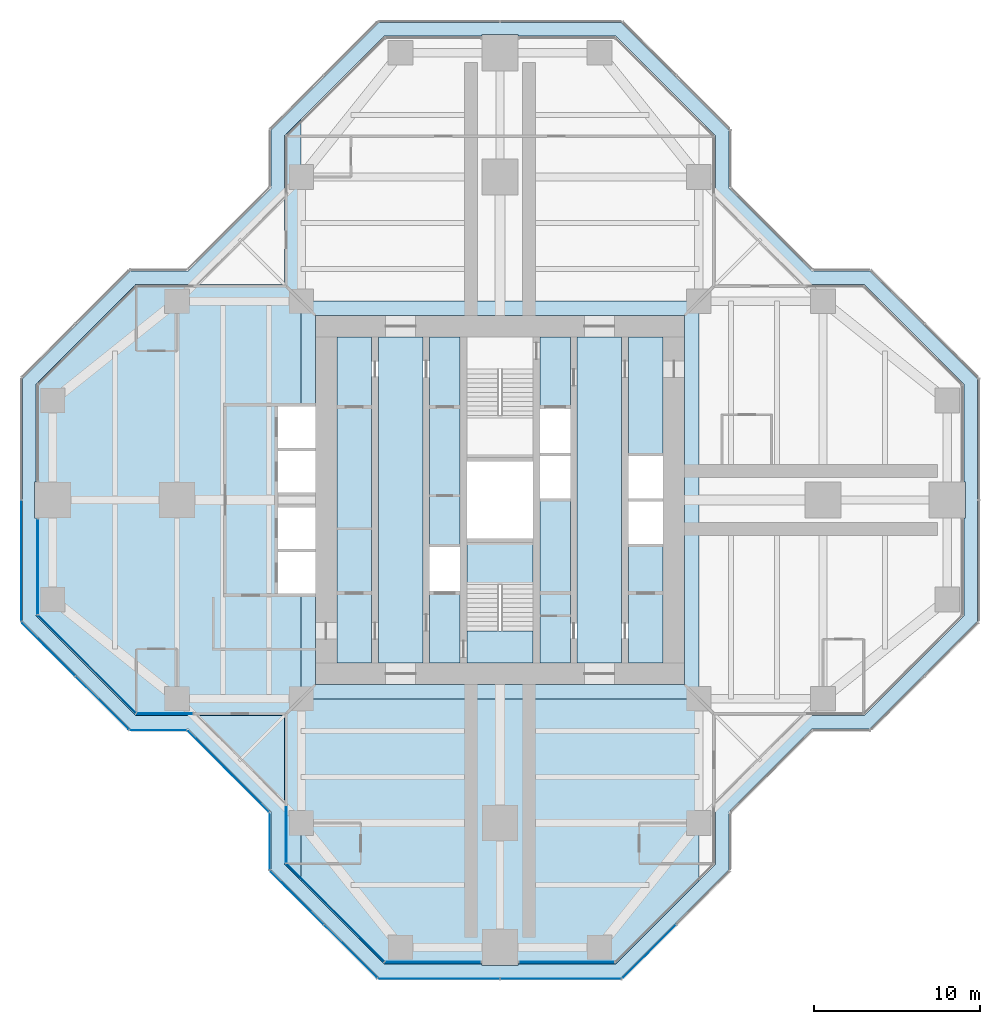
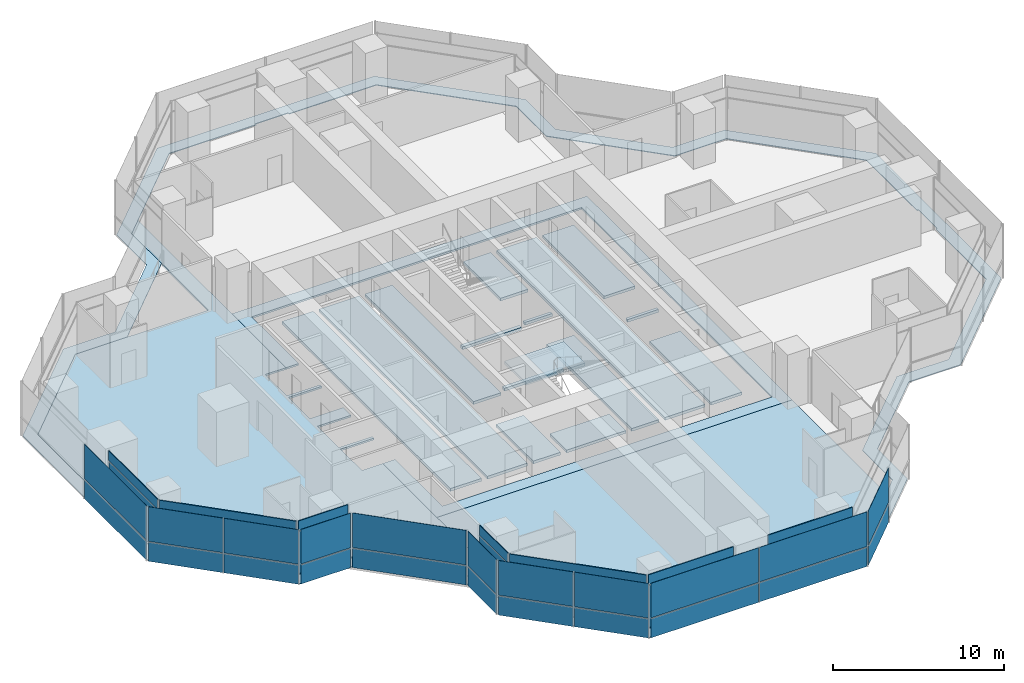
# One storey, part 10 of 17: 37 plates, 7 slabs, 16 elements without a shape of their own.
"""IFC4 building model written with IfcOpenShell, lengths in metres."""

from ifc_helpers import new_model, si_unit, direction, frame, origin, origin_2d, place, context, subcontext, project, spatial, polyline, rectangle, outline, extrude, material, layer, layer_set, type_object, element, aggregate, save


model = new_model("IFC4")

# Units and contexts
model_context = context("Model", 3, precision=1e-05, world=origin(), true_north=direction((0.0, 1.0)))
body_context = subcontext(model_context, "Body", "Model", "MODEL_VIEW")
ifc_project = project(units=[si_unit("LENGTHUNIT", "METRE"), si_unit("AREAUNIT", "SQUARE_METRE"), si_unit("VOLUMEUNIT", "CUBIC_METRE"), si_unit("PLANEANGLEUNIT", "RADIAN"), si_unit("MASSUNIT", "GRAM", prefix="KILO")], contexts=[model_context])

# Site, building, storey
site_placement = place(None, origin())
site = spatial("IfcSite", under=ifc_project, at=site_placement, CompositionType="ELEMENT")
building_placement = place(site_placement, origin())
building = spatial("IfcBuilding", under=site, at=building_placement, Name="Mizan Broadcast Tower", CompositionType="ELEMENT")
storey_placement = place(building_placement, frame((0.0, 0.0, 259.5)))
storey = spatial("IfcBuildingStorey", under=building, at=storey_placement, Name="L61", CompositionType="ELEMENT", Elevation=259.5)

# Plate
ifc_material_1 = material(Name="Aluminium grating", Category="aluminium")
ifc_layer_1 = layer(ifc_material_1, 0.050048828125)
ifc_layer_set_1 = layer_set([ifc_layer_1], Name="Aluminium grating")
plate_type_1 = type_object("IfcPlateType", Name="CAVITY GRATING", PredefinedType="USERDEFINED", material=ifc_layer_set_1)
plate_1_placement = place(storey_placement, frame((0.0, 0.0, -0.050048828125)))
element("IfcPlate", 1, at=plate_1_placement, inside=storey, type_object=plate_type_1, Name="Cavity grating L61", ObjectType="GRATING", PredefinedType="USERDEFINED", context=body_context, shape_type="SweptSolid", body=[
    extrude(outline(polyline([(13.820068359375, -18.839599609375), (18.839599609375, -13.820068359375), (22.339599609375, -13.820068359375), (28.820068359375, -7.339599609375), (28.820068359375, 7.339599609375), (22.339599609375, 13.820068359375), (18.839599609375, 13.820068359375), (13.820068359375, 18.839599609375), (13.820068359375, 22.339599609375), (7.339599609375, 28.820068359375), (-7.339599609375, 28.820068359375), (-13.820068359375, 22.339599609375), (-13.820068359375, 18.839599609375), (-18.839599609375, 13.820068359375), (-22.339599609375, 13.820068359375), (-28.820068359375, 7.339599609375), (-28.820068359375, -7.339599609375), (-22.339599609375, -13.820068359375), (-18.839599609375, -13.820068359375), (-13.820068359375, -18.839599609375), (-13.820068359375, -22.339599609375), (-7.339599609375, -28.820068359375), (7.339599609375, -28.820068359375), (13.820068359375, -22.339599609375), (13.820068359375, -18.839599609375)]), holes=[polyline([(28.0, -1.10009765625), (28.0, -7.0), (22.0, -13.0), (18.5, -13.0), (13.0, -18.5), (13.0, -22.0), (7.0, -28.0), (1.10009765625, -28.0), (1.10009765625, -28.10009765625), (-1.10009765625, -28.10009765625), (-1.10009765625, -28.0), (-7.0, -28.0), (-13.0, -22.0), (-13.0, -18.5), (-18.5, -13.0), (-22.0, -13.0), (-28.0, -7.0), (-28.0, -1.10009765625), (-28.10009765625, -1.10009765625), (-28.10009765625, 1.10009765625), (-28.0, 1.10009765625), (-28.0, 7.0), (-22.0, 13.0), (-18.5, 13.0), (-13.0, 18.5), (-13.0, 22.0), (-7.0, 28.0), (-1.10009765625, 28.0), (-1.10009765625, 28.10009765625), (1.10009765625, 28.10009765625), (1.10009765625, 28.0), (7.0, 28.0), (13.0, 22.0), (13.0, 18.5), (18.5, 13.0), (22.0, 13.0), (28.0, 7.0), (28.0, 1.10009765625), (28.10009765625, 1.10009765625), (28.10009765625, -1.10009765625), (28.0, -1.10009765625)])]), origin(), (0.0, 0.0, 1.0), 0.050048828125),
])

# Slabs
ifc_material_2 = material(Name="Concrete C32/40", Category="concrete")
ifc_layer_2 = layer(ifc_material_2, 0.1298828125)
ifc_layer_set_2 = layer_set([ifc_layer_2], Name="Concrete C32/40")
slab_type_1 = type_object("IfcSlabType", Name="COMPOSITE DECK SLAB 130", PredefinedType="FLOOR", material=ifc_layer_set_2)
slab_1_placement = place(storey_placement, frame((0.0, 0.0, -0.1298828125)))
element("IfcSlab", 2, at=slab_1_placement, inside=storey, type_object=slab_type_1, Name="Floor slab L61 centre", PredefinedType="FLOOR", context=body_context, shape_type="SweptSolid", body=[
    extrude(outline(polyline([(-11.14990234375, -5.64990234375), (-12.0, -5.64990234375), (-12.0, -12.0), (12.0, -12.0), (12.0, 12.0), (-12.0, 12.0), (-12.0, 5.64990234375), (-11.14990234375, 5.64990234375), (-11.14990234375, 11.14990234375), (11.14990234375, 11.14990234375), (11.14990234375, -11.14990234375), (-11.14990234375, -11.14990234375), (-11.14990234375, -5.64990234375)])), origin(), (0.0, 0.0, 1.0), 0.1298828125),
])
slab_2_placement = place(storey_placement, frame((0.0, 0.0, -0.1298828125)))
element("IfcSlab", 3, at=slab_2_placement, inside=storey, type_object=slab_type_1, Name="Floor slab L61 west arm", PredefinedType="FLOOR", context=body_context, shape_type="SweptSolid", body=[
    extrude(outline(polyline([(-22.0, 13.0), (-28.0, 7.0), (-28.0, -7.0), (-22.0, -13.0), (-13.0, -13.0), (-13.0, -22.0), (-12.0, -23.0), (-12.0, -5.64990234375), (-13.39990234375, -5.64990234375), (-13.39990234375, -3.14990234375), (-11.14990234375, -3.14990234375), (-11.14990234375, -2.949951171875), (-13.39990234375, -2.949951171875), (-13.39990234375, -0.449951171875), (-11.14990234375, -0.449951171875), (-11.14990234375, 0.449951171875), (-13.39990234375, 0.449951171875), (-13.39990234375, 2.949951171875), (-11.14990234375, 2.949951171875), (-11.14990234375, 3.14990234375), (-13.39990234375, 3.14990234375), (-13.39990234375, 5.64990234375), (-12.0, 5.64990234375), (-12.0, 23.0), (-13.0, 22.0), (-13.0, 13.0), (-22.0, 13.0)])), origin(), (0.0, 0.0, 1.0), 0.1298828125),
])
slab_3_placement = place(storey_placement, frame((0.0, 0.0, -0.1298828125)))
element("IfcSlab", 4, at=slab_3_placement, inside=storey, type_object=slab_type_1, Name="Floor slab L61 south arm", PredefinedType="FLOOR", context=body_context, shape_type="SweptSolid", body=[
    extrude(outline(polyline([(7.0, -28.0), (12.0, -23.0), (12.0, -12.0), (-12.0, -12.0), (-12.0, -23.0), (-7.0, -28.0), (7.0, -28.0)])), origin(), (0.0, 0.0, 1.0), 0.1298828125),
])
ifc_material_3 = material(Name="Concrete C40/50", Category="concrete")
ifc_layer_3 = layer(ifc_material_3, 0.199951171875)
ifc_layer_set_3 = layer_set([ifc_layer_3], Name="Concrete C40/50")
slab_type_2 = type_object("IfcSlabType", Name="CORE FLOOR 200", PredefinedType="FLOOR", material=ifc_layer_set_3)
slab_4_placement = place(storey_placement, frame((0.0, 0.0, -0.199951171875)))
element("IfcSlab", 5, at=slab_4_placement, inside=storey, type_object=slab_type_2, Name="Core floor L61", PredefinedType="FLOOR", context=body_context, shape_type="SweptSolid", body=[
    extrude(outline(polyline([(-9.85009765625, -9.85009765625), (-7.75, -9.85009765625), (-7.75, 9.85009765625), (-9.85009765625, 9.85009765625), (-9.85009765625, -9.85009765625)])), origin(), (0.0, 0.0, 1.0), 0.199951171875),
    extrude(outline(polyline([(-4.64990234375, 9.85009765625), (-7.35009765625, 9.85009765625), (-7.35009765625, -9.85009765625), (-4.64990234375, -9.85009765625), (-4.64990234375, 9.85009765625)])), origin(), (0.0, 0.0, 1.0), 0.199951171875),
    extrude(outline(polyline([(-4.25, -5.5), (-4.25, -9.85009765625), (-2.39990234375, -9.85009765625), (-2.39990234375, -5.5), (-4.25, -5.5)])), origin(), (0.0, 0.0, 1.0), 0.199951171875),
    extrude(outline(polyline([(-4.25, -2.85009765625), (-2.39990234375, -2.85009765625), (-2.39990234375, 9.85009765625), (-4.25, 9.85009765625), (-4.25, -2.85009765625)])), origin(), (0.0, 0.0, 1.0), 0.199951171875),
    extrude(outline(polyline([(2.0, -2.324951171875), (-2.0, -2.324951171875), (-2.0, -2.574951171875), (2.0, -2.574951171875), (2.0, -2.324951171875)])), origin(), (0.0, 0.0, 1.0), 0.199951171875),
    extrude(outline(polyline([(2.0, 2.574951171875), (-2.0, 2.574951171875), (-2.0, 2.324951171875), (2.0, 2.324951171875), (2.0, 2.574951171875)])), origin(), (0.0, 0.0, 1.0), 0.199951171875),
    extrude(outline(polyline([(4.25, -9.85009765625), (4.25, 0.10009765625), (2.39990234375, 0.10009765625), (2.39990234375, -9.85009765625), (4.25, -9.85009765625)])), origin(), (0.0, 0.0, 1.0), 0.199951171875),
    extrude(outline(polyline([(4.25, 2.64990234375), (4.25, 2.85009765625), (2.39990234375, 2.85009765625), (2.39990234375, 2.64990234375), (4.25, 2.64990234375)])), origin(), (0.0, 0.0, 1.0), 0.199951171875),
    extrude(outline(polyline([(4.25, 5.5), (4.25, 9.85009765625), (2.39990234375, 9.85009765625), (2.39990234375, 5.5), (4.25, 5.5)])), origin(), (0.0, 0.0, 1.0), 0.199951171875),
    extrude(outline(polyline([(4.64990234375, 9.85009765625), (4.64990234375, -9.85009765625), (7.35009765625, -9.85009765625), (7.35009765625, 9.85009765625), (4.64990234375, 9.85009765625)])), origin(), (0.0, 0.0, 1.0), 0.199951171875),
    extrude(outline(polyline([(9.85009765625, -9.85009765625), (9.85009765625, -2.64990234375), (7.75, -2.64990234375), (7.75, -9.85009765625), (9.85009765625, -9.85009765625)])), origin(), (0.0, 0.0, 1.0), 0.199951171875),
    extrude(outline(polyline([(9.85009765625, -0.10009765625), (9.85009765625, 0.10009765625), (7.75, 0.10009765625), (7.75, -0.10009765625), (9.85009765625, -0.10009765625)])), origin(), (0.0, 0.0, 1.0), 0.199951171875),
    extrude(outline(polyline([(7.75, 9.85009765625), (7.75, 2.64990234375), (9.85009765625, 2.64990234375), (9.85009765625, 9.85009765625), (7.75, 9.85009765625)])), origin(), (0.0, 0.0, 1.0), 0.199951171875),
])

# Curtain wall, plate
ifc_material_4 = material(Name="Aluminium framed glazing", Category="aluminium")
curtain_wall_type_1 = type_object("IfcCurtainWallType", Name="INNER SKIN HIGH ZONE", PredefinedType="USERDEFINED", material=ifc_material_4)
curtain_wall_1_placement = place(storey_placement, origin())
curtain_wall_1 = element("IfcCurtainWall", 6, at=curtain_wall_1_placement, inside=storey, type_object=curtain_wall_type_1, Name="Inner skin high zone L61 W end", ObjectType="INNER SKIN HIGH ZONE", PredefinedType="USERDEFINED")
ifc_material_5 = material(Name="Double glazing, clear low-e", Category="glass")
ifc_layer_4 = layer(ifc_material_5, 0.028076171875)
ifc_layer_set_4 = layer_set([ifc_layer_4], Name="Double glazing, clear low-e")
plate_type_2 = type_object("IfcPlateType", Name="INNER SKIN GLAZING UNIT", PredefinedType="CURTAIN_PANEL", material=ifc_layer_set_4)
plate_2_placement = place(storey_placement, frame((-27.89990234375, -4.029296875, 0.0), z_axis=(0.0, 0.0, 1.0), x_axis=(0.0, -1.0, 0.0)))
plate_2 = element("IfcPlate", 7, at=plate_2_placement, type_object=plate_type_2, Name="Inner skin high zone L61 W end panel 1.1", PredefinedType="CURTAIN_PANEL", context=body_context, shape_type="SweptSolid", body=[
    extrude(rectangle(XDim=5.738525390625, YDim=0.028076171875, at=origin_2d()), origin(), (0.0, 0.0, 1.0), 3.0),
])

curtain_wall_2_placement = place(storey_placement, origin())
curtain_wall_2 = element("IfcCurtainWall", 8, at=curtain_wall_2_placement, inside=storey, type_object=curtain_wall_type_1, Name="Inner skin high zone L61 W chamfer", ObjectType="INNER SKIN HIGH ZONE", PredefinedType="USERDEFINED")
plate_3_placement = place(storey_placement, frame((-24.92919921875, -9.92919921875, 0.0), z_axis=(0.0, 0.0, 1.0), x_axis=(0.707106781187, -0.707106781187, 0.0)))
plate_3 = element("IfcPlate", 9, at=plate_3_placement, type_object=plate_type_2, Name="Inner skin high zone L61 W chamfer panel 1.1", PredefinedType="CURTAIN_PANEL", context=body_context, shape_type="SweptSolid", body=[
    extrude(rectangle(XDim=8.282470703125, YDim=0.028076171875, at=origin_2d()), origin(), (0.0, 0.0, 1.0), 3.0),
])

curtain_wall_3_placement = place(storey_placement, origin())
curtain_wall_3 = element("IfcCurtainWall", 10, at=curtain_wall_3_placement, inside=storey, type_object=curtain_wall_type_1, Name="Inner skin high zone L61 W side", ObjectType="INNER SKIN HIGH ZONE", PredefinedType="USERDEFINED")
plate_4_placement = place(storey_placement, frame((-20.229248046875, -12.89990234375, 0.0), z_axis=(0.0, 0.0, 1.0), x_axis=(1.0, 0.0, 0.0)))
plate_4 = element("IfcPlate", 11, at=plate_4_placement, type_object=plate_type_2, Name="Inner skin high zone L61 W side panel 1.1", PredefinedType="CURTAIN_PANEL", context=body_context, shape_type="SweptSolid", body=[
    extrude(rectangle(XDim=3.338623046875, YDim=0.028076171875, at=origin_2d()), origin(), (0.0, 0.0, 1.0), 3.0),
])

curtain_wall_4_placement = place(storey_placement, origin())
curtain_wall_4 = element("IfcCurtainWall", 12, at=curtain_wall_4_placement, inside=storey, type_object=curtain_wall_type_1, Name="Inner skin high zone L61 S side", ObjectType="INNER SKIN HIGH ZONE", PredefinedType="USERDEFINED")
plate_5_placement = place(storey_placement, frame((-12.89990234375, -20.229248046875, 0.0), z_axis=(0.0, 0.0, 1.0), x_axis=(0.0, -1.0, 0.0)))
plate_5 = element("IfcPlate", 13, at=plate_5_placement, type_object=plate_type_2, Name="Inner skin high zone L61 S side panel 1.1", PredefinedType="CURTAIN_PANEL", context=body_context, shape_type="SweptSolid", body=[
    extrude(rectangle(XDim=3.338623046875, YDim=0.028076171875, at=origin_2d()), origin(), (0.0, 0.0, 1.0), 3.0),
])

curtain_wall_5_placement = place(storey_placement, origin())
curtain_wall_5 = element("IfcCurtainWall", 14, at=curtain_wall_5_placement, inside=storey, type_object=curtain_wall_type_1, Name="Inner skin high zone L61 S chamfer", ObjectType="INNER SKIN HIGH ZONE", PredefinedType="USERDEFINED")
plate_6_placement = place(storey_placement, frame((-9.92919921875, -24.92919921875, 0.0), z_axis=(0.0, 0.0, 1.0), x_axis=(0.707106781187, -0.707106781187, 0.0)))
plate_6 = element("IfcPlate", 15, at=plate_6_placement, type_object=plate_type_2, Name="Inner skin high zone L61 S chamfer panel 1.1", PredefinedType="CURTAIN_PANEL", context=body_context, shape_type="SweptSolid", body=[
    extrude(rectangle(XDim=8.282470703125, YDim=0.028076171875, at=origin_2d()), origin(), (0.0, 0.0, 1.0), 3.0),
])

curtain_wall_6_placement = place(storey_placement, origin())
curtain_wall_6 = element("IfcCurtainWall", 16, at=curtain_wall_6_placement, inside=storey, type_object=curtain_wall_type_1, Name="Inner skin high zone L61 S end", ObjectType="INNER SKIN HIGH ZONE", PredefinedType="USERDEFINED")
plate_7_placement = place(storey_placement, frame((-4.029296875, -27.89990234375, 0.0), z_axis=(0.0, 0.0, 1.0), x_axis=(1.0, 0.0, 0.0)))
plate_7 = element("IfcPlate", 17, at=plate_7_placement, type_object=plate_type_2, Name="Inner skin high zone L61 S end panel 1.1", PredefinedType="CURTAIN_PANEL", context=body_context, shape_type="SweptSolid", body=[
    extrude(rectangle(XDim=5.738525390625, YDim=0.028076171875, at=origin_2d()), origin(), (0.0, 0.0, 1.0), 3.0),
])

curtain_wall_7_placement = place(storey_placement, origin())
curtain_wall_7 = element("IfcCurtainWall", 18, at=curtain_wall_7_placement, inside=storey, type_object=curtain_wall_type_1, Name="Inner skin high zone L61 S end", ObjectType="INNER SKIN HIGH ZONE", PredefinedType="USERDEFINED")
plate_8_placement = place(storey_placement, frame((4.029296875, -27.89990234375, 0.0), z_axis=(0.0, 0.0, 1.0), x_axis=(1.0, 0.0, 0.0)))
plate_8 = element("IfcPlate", 19, at=plate_8_placement, type_object=plate_type_2, Name="Inner skin high zone L61 S end panel 1.1", PredefinedType="CURTAIN_PANEL", context=body_context, shape_type="SweptSolid", body=[
    extrude(rectangle(XDim=5.738525390625, YDim=0.028076171875, at=origin_2d()), origin(), (0.0, 0.0, 1.0), 3.0),
])

# Plate
ifc_material_6 = material(Name="Insulated aluminium spandrel panel, pale anodised", Category="aluminium")
ifc_layer_5 = layer(ifc_material_6, 0.050048828125)
ifc_layer_set_5 = layer_set([ifc_layer_5], Name="Insulated aluminium spandrel panel, pale anodised")
plate_type_3 = type_object("IfcPlateType", Name="INNER SKIN SPANDREL PANEL", PredefinedType="CURTAIN_PANEL", material=ifc_layer_set_5)
plate_9_placement = place(storey_placement, frame((-27.89990234375, -4.029296875, 3.06005859375), z_axis=(0.0, 0.0, 1.0), x_axis=(0.0, -1.0, 0.0)))
plate_9 = element("IfcPlate", 20, at=plate_9_placement, type_object=plate_type_3, Name="Inner skin high zone L61 W end panel 1.2", PredefinedType="CURTAIN_PANEL", context=body_context, shape_type="SweptSolid", body=[
    extrude(rectangle(XDim=5.738525390625, YDim=0.050048828125, at=origin_2d()), origin(), (0.0, 0.0, 1.0), 0.7099609375),
])

aggregate(curtain_wall_1, [plate_2, plate_9])

plate_10_placement = place(storey_placement, frame((-24.92919921875, -9.92919921875, 3.06005859375), z_axis=(0.0, 0.0, 1.0), x_axis=(0.707106781187, -0.707106781187, 0.0)))
plate_10 = element("IfcPlate", 21, at=plate_10_placement, type_object=plate_type_3, Name="Inner skin high zone L61 W chamfer panel 1.2", PredefinedType="CURTAIN_PANEL", context=body_context, shape_type="SweptSolid", body=[
    extrude(rectangle(XDim=8.282470703125, YDim=0.050048828125, at=origin_2d()), origin(), (0.0, 0.0, 1.0), 0.7099609375),
])

aggregate(curtain_wall_2, [plate_3, plate_10])

plate_11_placement = place(storey_placement, frame((-20.229248046875, -12.89990234375, 3.06005859375), z_axis=(0.0, 0.0, 1.0), x_axis=(1.0, 0.0, 0.0)))
plate_11 = element("IfcPlate", 22, at=plate_11_placement, type_object=plate_type_3, Name="Inner skin high zone L61 W side panel 1.2", PredefinedType="CURTAIN_PANEL", context=body_context, shape_type="SweptSolid", body=[
    extrude(rectangle(XDim=3.338623046875, YDim=0.050048828125, at=origin_2d()), origin(), (0.0, 0.0, 1.0), 0.7099609375),
])

aggregate(curtain_wall_3, [plate_4, plate_11])

plate_12_placement = place(storey_placement, frame((-12.89990234375, -20.229248046875, 3.06005859375), z_axis=(0.0, 0.0, 1.0), x_axis=(0.0, -1.0, 0.0)))
plate_12 = element("IfcPlate", 23, at=plate_12_placement, type_object=plate_type_3, Name="Inner skin high zone L61 S side panel 1.2", PredefinedType="CURTAIN_PANEL", context=body_context, shape_type="SweptSolid", body=[
    extrude(rectangle(XDim=3.338623046875, YDim=0.050048828125, at=origin_2d()), origin(), (0.0, 0.0, 1.0), 0.7099609375),
])

aggregate(curtain_wall_4, [plate_5, plate_12])

plate_13_placement = place(storey_placement, frame((-9.92919921875, -24.92919921875, 3.06005859375), z_axis=(0.0, 0.0, 1.0), x_axis=(0.707106781187, -0.707106781187, 0.0)))
plate_13 = element("IfcPlate", 24, at=plate_13_placement, type_object=plate_type_3, Name="Inner skin high zone L61 S chamfer panel 1.2", PredefinedType="CURTAIN_PANEL", context=body_context, shape_type="SweptSolid", body=[
    extrude(rectangle(XDim=8.282470703125, YDim=0.050048828125, at=origin_2d()), origin(), (0.0, 0.0, 1.0), 0.7099609375),
])

aggregate(curtain_wall_5, [plate_6, plate_13])

plate_14_placement = place(storey_placement, frame((-4.029296875, -27.89990234375, 3.06005859375), z_axis=(0.0, 0.0, 1.0), x_axis=(1.0, 0.0, 0.0)))
plate_14 = element("IfcPlate", 25, at=plate_14_placement, type_object=plate_type_3, Name="Inner skin high zone L61 S end panel 1.2", PredefinedType="CURTAIN_PANEL", context=body_context, shape_type="SweptSolid", body=[
    extrude(rectangle(XDim=5.738525390625, YDim=0.050048828125, at=origin_2d()), origin(), (0.0, 0.0, 1.0), 0.7099609375),
])

aggregate(curtain_wall_6, [plate_7, plate_14])

plate_15_placement = place(storey_placement, frame((4.029296875, -27.89990234375, 3.06005859375), z_axis=(0.0, 0.0, 1.0), x_axis=(1.0, 0.0, 0.0)))
plate_15 = element("IfcPlate", 26, at=plate_15_placement, type_object=plate_type_3, Name="Inner skin high zone L61 S end panel 1.2", PredefinedType="CURTAIN_PANEL", context=body_context, shape_type="SweptSolid", body=[
    extrude(rectangle(XDim=5.738525390625, YDim=0.050048828125, at=origin_2d()), origin(), (0.0, 0.0, 1.0), 0.7099609375),
])

aggregate(curtain_wall_7, [plate_8, plate_15])

# Curtain wall, plates
ifc_material_7 = material(Name="Aluminium framed glazing", Category="aluminium")
curtain_wall_type_2 = type_object("IfcCurtainWallType", Name="OUTER SKIN", PredefinedType="USERDEFINED", material=ifc_material_7)
curtain_wall_8_placement = place(storey_placement, origin())
curtain_wall_8 = element("IfcCurtainWall", 27, at=curtain_wall_8_placement, inside=storey, type_object=curtain_wall_type_2, Name="Outer skin L61 W chamfer", ObjectType="OUTER SKIN", PredefinedType="USERDEFINED")
ifc_material_8 = material(Name="Laminated clear glass", Category="glass")
ifc_layer_6 = layer(ifc_material_8, 0.02001953125)
ifc_layer_set_6 = layer_set([ifc_layer_6], Name="Laminated clear glass")
plate_type_4 = type_object("IfcPlateType", Name="OUTER SKIN CLEAR GLASS", PredefinedType="CURTAIN_PANEL", material=ifc_layer_set_6)
plate_16_placement = place(storey_placement, frame((-27.254150390625, -9.018798828125, 0.0), z_axis=(0.0, 0.0, 1.0), x_axis=(0.707106781187, -0.707106781187, 0.0)))
plate_16 = element("IfcPlate", 28, at=plate_16_placement, type_object=plate_type_4, Name="Outer skin L61 W chamfer panel 1.1", PredefinedType="CURTAIN_PANEL", context=body_context, shape_type="SweptSolid", body=[
    extrude(rectangle(XDim=4.495361328125, YDim=0.02001953125, at=origin_2d()), origin(), (0.0, 0.0, 1.0), 1.3701171875),
])
plate_17_placement = place(storey_placement, frame((-27.254150390625, -9.018798828125, 1.43017578125), z_axis=(0.0, 0.0, 1.0), x_axis=(0.707106781187, -0.707106781187, 0.0)))
plate_17 = element("IfcPlate", 29, at=plate_17_placement, type_object=plate_type_4, Name="Outer skin L61 W chamfer panel 1.2", PredefinedType="CURTAIN_PANEL", context=body_context, shape_type="SweptSolid", body=[
    extrude(rectangle(XDim=4.495361328125, YDim=0.02001953125, at=origin_2d()), origin(), (0.0, 0.0, 1.0), 2.469970703125),
])

curtain_wall_9_placement = place(storey_placement, origin())
curtain_wall_9 = element("IfcCurtainWall", 30, at=curtain_wall_9_placement, inside=storey, type_object=curtain_wall_type_2, Name="Outer skin L61 W side", ObjectType="OUTER SKIN", PredefinedType="USERDEFINED")
plate_18_placement = place(storey_placement, frame((-20.622802734375, -13.89990234375, 0.0), z_axis=(0.0, 0.0, 1.0), x_axis=(1.0, 0.0, 0.0)))
plate_18 = element("IfcPlate", 31, at=plate_18_placement, type_object=plate_type_4, Name="Outer skin L61 W side panel 1.1", PredefinedType="CURTAIN_PANEL", context=body_context, shape_type="SweptSolid", body=[
    extrude(rectangle(XDim=3.340087890625, YDim=0.02001953125, at=origin_2d()), origin(), (0.0, 0.0, 1.0), 1.3701171875),
])
plate_19_placement = place(storey_placement, frame((-20.622802734375, -13.89990234375, 1.43017578125), z_axis=(0.0, 0.0, 1.0), x_axis=(1.0, 0.0, 0.0)))
plate_19 = element("IfcPlate", 32, at=plate_19_placement, type_object=plate_type_4, Name="Outer skin L61 W side panel 1.2", PredefinedType="CURTAIN_PANEL", context=body_context, shape_type="SweptSolid", body=[
    extrude(rectangle(XDim=3.340087890625, YDim=0.02001953125, at=origin_2d()), origin(), (0.0, 0.0, 1.0), 2.469970703125),
])
aggregate(curtain_wall_9, [plate_18, plate_19])

curtain_wall_10_placement = place(storey_placement, origin())
curtain_wall_10 = element("IfcCurtainWall", 33, at=curtain_wall_10_placement, inside=storey, type_object=curtain_wall_type_2, Name="Outer skin L61 W chamfer", ObjectType="OUTER SKIN", PredefinedType="USERDEFINED")
plate_20_placement = place(storey_placement, frame((-16.386474609375, -16.386474609375, 0.0), z_axis=(0.0, 0.0, 1.0), x_axis=(0.707106781187, -0.707106781187, 0.0)))
plate_20 = element("IfcPlate", 34, at=plate_20_placement, type_object=plate_type_4, Name="Outer skin L61 W chamfer panel 1.1", PredefinedType="CURTAIN_PANEL", context=body_context, shape_type="SweptSolid", body=[
    extrude(rectangle(XDim=6.87255859375, YDim=0.02001953125, at=origin_2d()), origin(), (0.0, 0.0, 1.0), 1.3701171875),
])
plate_21_placement = place(storey_placement, frame((-16.386474609375, -16.386474609375, 1.43017578125), z_axis=(0.0, 0.0, 1.0), x_axis=(0.707106781187, -0.707106781187, 0.0)))
plate_21 = element("IfcPlate", 35, at=plate_21_placement, type_object=plate_type_4, Name="Outer skin L61 W chamfer panel 1.2", PredefinedType="CURTAIN_PANEL", context=body_context, shape_type="SweptSolid", body=[
    extrude(rectangle(XDim=6.87255859375, YDim=0.02001953125, at=origin_2d()), origin(), (0.0, 0.0, 1.0), 2.469970703125),
])
aggregate(curtain_wall_10, [plate_20, plate_21])

curtain_wall_11_placement = place(storey_placement, origin())
curtain_wall_11 = element("IfcCurtainWall", 36, at=curtain_wall_11_placement, inside=storey, type_object=curtain_wall_type_2, Name="Outer skin L61 S side", ObjectType="OUTER SKIN", PredefinedType="USERDEFINED")
plate_22_placement = place(storey_placement, frame((-13.89990234375, -20.622802734375, 0.0), z_axis=(0.0, 0.0, 1.0), x_axis=(0.0, -1.0, 0.0)))
plate_22 = element("IfcPlate", 37, at=plate_22_placement, type_object=plate_type_4, Name="Outer skin L61 S side panel 1.1", PredefinedType="CURTAIN_PANEL", context=body_context, shape_type="SweptSolid", body=[
    extrude(rectangle(XDim=3.340087890625, YDim=0.02001953125, at=origin_2d()), origin(), (0.0, 0.0, 1.0), 1.3701171875),
])
plate_23_placement = place(storey_placement, frame((-13.89990234375, -20.622802734375, 1.43017578125), z_axis=(0.0, 0.0, 1.0), x_axis=(0.0, -1.0, 0.0)))
plate_23 = element("IfcPlate", 38, at=plate_23_placement, type_object=plate_type_4, Name="Outer skin L61 S side panel 1.2", PredefinedType="CURTAIN_PANEL", context=body_context, shape_type="SweptSolid", body=[
    extrude(rectangle(XDim=3.340087890625, YDim=0.02001953125, at=origin_2d()), origin(), (0.0, 0.0, 1.0), 2.469970703125),
])
aggregate(curtain_wall_11, [plate_22, plate_23])

curtain_wall_12_placement = place(storey_placement, origin())
curtain_wall_12 = element("IfcCurtainWall", 39, at=curtain_wall_12_placement, inside=storey, type_object=curtain_wall_type_2, Name="Outer skin L61 S chamfer", ObjectType="OUTER SKIN", PredefinedType="USERDEFINED")
plate_24_placement = place(storey_placement, frame((-12.254150390625, -24.018798828125, 0.0), z_axis=(0.0, 0.0, 1.0), x_axis=(0.707106781187, -0.707106781187, 0.0)))
plate_24 = element("IfcPlate", 40, at=plate_24_placement, type_object=plate_type_4, Name="Outer skin L61 S chamfer panel 1.1", PredefinedType="CURTAIN_PANEL", context=body_context, shape_type="SweptSolid", body=[
    extrude(rectangle(XDim=4.495361328125, YDim=0.02001953125, at=origin_2d()), origin(), (0.0, 0.0, 1.0), 1.3701171875),
])
plate_25_placement = place(storey_placement, frame((-12.254150390625, -24.018798828125, 1.43017578125), z_axis=(0.0, 0.0, 1.0), x_axis=(0.707106781187, -0.707106781187, 0.0)))
plate_25 = element("IfcPlate", 41, at=plate_25_placement, type_object=plate_type_4, Name="Outer skin L61 S chamfer panel 1.2", PredefinedType="CURTAIN_PANEL", context=body_context, shape_type="SweptSolid", body=[
    extrude(rectangle(XDim=4.495361328125, YDim=0.02001953125, at=origin_2d()), origin(), (0.0, 0.0, 1.0), 2.469970703125),
])

curtain_wall_13_placement = place(storey_placement, origin())
curtain_wall_13 = element("IfcCurtainWall", 42, at=curtain_wall_13_placement, inside=storey, type_object=curtain_wall_type_2, Name="Outer skin L61 S end", ObjectType="OUTER SKIN", PredefinedType="USERDEFINED")
plate_26_placement = place(storey_placement, frame((-3.66650390625, -28.89990234375, 0.0), z_axis=(0.0, 0.0, 1.0), x_axis=(1.0, 0.0, 0.0)))
plate_26 = element("IfcPlate", 43, at=plate_26_placement, type_object=plate_type_4, Name="Outer skin L61 S end panel 1.1", PredefinedType="CURTAIN_PANEL", context=body_context, shape_type="SweptSolid", body=[
    extrude(rectangle(XDim=7.252685546875, YDim=0.02001953125, at=origin_2d()), origin(), (0.0, 0.0, 1.0), 1.3701171875),
])
plate_27_placement = place(storey_placement, frame((-3.66650390625, -28.89990234375, 1.43017578125), z_axis=(0.0, 0.0, 1.0), x_axis=(1.0, 0.0, 0.0)))
plate_27 = element("IfcPlate", 44, at=plate_27_placement, type_object=plate_type_4, Name="Outer skin L61 S end panel 1.2", PredefinedType="CURTAIN_PANEL", context=body_context, shape_type="SweptSolid", body=[
    extrude(rectangle(XDim=7.252685546875, YDim=0.02001953125, at=origin_2d()), origin(), (0.0, 0.0, 1.0), 2.469970703125),
])

curtain_wall_14_placement = place(storey_placement, origin())
curtain_wall_14 = element("IfcCurtainWall", 45, at=curtain_wall_14_placement, inside=storey, type_object=curtain_wall_type_2, Name="Outer skin L61 S chamfer", ObjectType="OUTER SKIN", PredefinedType="USERDEFINED")
plate_28_placement = place(storey_placement, frame((9.018798828125, -27.254150390625, 0.0), z_axis=(0.0, 0.0, 1.0), x_axis=(0.707106781187, 0.707106781187, 0.0)))
plate_28 = element("IfcPlate", 46, at=plate_28_placement, type_object=plate_type_4, Name="Outer skin L61 S chamfer panel 1.1", PredefinedType="CURTAIN_PANEL", context=body_context, shape_type="SweptSolid", body=[
    extrude(rectangle(XDim=4.495361328125, YDim=0.02001953125, at=origin_2d()), origin(), (0.0, 0.0, 1.0), 1.3701171875),
])
plate_29_placement = place(storey_placement, frame((9.018798828125, -27.254150390625, 1.43017578125), z_axis=(0.0, 0.0, 1.0), x_axis=(0.707106781187, 0.707106781187, 0.0)))
plate_29 = element("IfcPlate", 47, at=plate_29_placement, type_object=plate_type_4, Name="Outer skin L61 S chamfer panel 1.2", PredefinedType="CURTAIN_PANEL", context=body_context, shape_type="SweptSolid", body=[
    extrude(rectangle(XDim=4.495361328125, YDim=0.02001953125, at=origin_2d()), origin(), (0.0, 0.0, 1.0), 2.469970703125),
])
aggregate(curtain_wall_14, [plate_28, plate_29])

curtain_wall_15_placement = place(storey_placement, origin())
curtain_wall_15 = element("IfcCurtainWall", 48, at=curtain_wall_15_placement, inside=storey, type_object=curtain_wall_type_2, Name="Outer skin L61 W end", ObjectType="OUTER SKIN", PredefinedType="USERDEFINED")
ifc_material_9 = material(Name="Perforated aluminium, pale anodised", Category="aluminium")
ifc_layer_7 = layer(ifc_material_9, 0.011962890625)
ifc_layer_set_7 = layer_set([ifc_layer_7], Name="Perforated aluminium, pale anodised")
plate_type_5 = type_object("IfcPlateType", Name="OUTER SKIN PERFORATED SCREEN", PredefinedType="USERDEFINED", material=ifc_layer_set_7)
plate_30_placement = place(storey_placement, frame((-28.89990234375, -3.66650390625, 0.0), z_axis=(0.0, 0.0, 1.0), x_axis=(0.0, -1.0, 0.0)))
plate_30 = element("IfcPlate", 49, at=plate_30_placement, type_object=plate_type_5, Name="Outer skin L61 W end panel 2.1", ObjectType="SCREEN", PredefinedType="USERDEFINED", context=body_context, shape_type="SweptSolid", body=[
    extrude(rectangle(XDim=7.252685546875, YDim=0.011962890625, at=origin_2d()), origin(), (0.0, 0.0, 1.0), 1.3701171875),
])
plate_31_placement = place(storey_placement, frame((-28.89990234375, -3.66650390625, 1.43017578125), z_axis=(0.0, 0.0, 1.0), x_axis=(0.0, -1.0, 0.0)))
plate_31 = element("IfcPlate", 50, at=plate_31_placement, type_object=plate_type_5, Name="Outer skin L61 W end panel 2.2", ObjectType="SCREEN", PredefinedType="USERDEFINED", context=body_context, shape_type="SweptSolid", body=[
    extrude(rectangle(XDim=7.252685546875, YDim=0.011962890625, at=origin_2d()), origin(), (0.0, 0.0, 1.0), 2.469970703125),
])
aggregate(curtain_wall_15, [plate_30, plate_31])

# Plate
plate_32_placement = place(storey_placement, frame((-24.018798828125, -12.254150390625, 0.0), z_axis=(0.0, 0.0, 1.0), x_axis=(0.707106781187, -0.707106781187, 0.0)))
plate_32 = element("IfcPlate", 51, at=plate_32_placement, type_object=plate_type_5, Name="Outer skin L61 W chamfer panel 2.1", ObjectType="SCREEN", PredefinedType="USERDEFINED", context=body_context, shape_type="SweptSolid", body=[
    extrude(rectangle(XDim=4.495361328125, YDim=0.011962890625, at=origin_2d()), origin(), (0.0, 0.0, 1.0), 1.3701171875),
])

plate_33_placement = place(storey_placement, frame((-24.018798828125, -12.254150390625, 1.43017578125), z_axis=(0.0, 0.0, 1.0), x_axis=(0.707106781187, -0.707106781187, 0.0)))
plate_33 = element("IfcPlate", 52, at=plate_33_placement, type_object=plate_type_5, Name="Outer skin L61 W chamfer panel 2.2", ObjectType="SCREEN", PredefinedType="USERDEFINED", context=body_context, shape_type="SweptSolid", body=[
    extrude(rectangle(XDim=4.495361328125, YDim=0.011962890625, at=origin_2d()), origin(), (0.0, 0.0, 1.0), 2.469970703125),
])

aggregate(curtain_wall_8, [plate_16, plate_17, plate_32, plate_33])

plate_34_placement = place(storey_placement, frame((-9.018798828125, -27.254150390625, 0.0), z_axis=(0.0, 0.0, 1.0), x_axis=(0.707106781187, -0.707106781187, 0.0)))
plate_34 = element("IfcPlate", 53, at=plate_34_placement, type_object=plate_type_5, Name="Outer skin L61 S chamfer panel 2.1", ObjectType="SCREEN", PredefinedType="USERDEFINED", context=body_context, shape_type="SweptSolid", body=[
    extrude(rectangle(XDim=4.495361328125, YDim=0.011962890625, at=origin_2d()), origin(), (0.0, 0.0, 1.0), 1.3701171875),
])

plate_35_placement = place(storey_placement, frame((-9.018798828125, -27.254150390625, 1.43017578125), z_axis=(0.0, 0.0, 1.0), x_axis=(0.707106781187, -0.707106781187, 0.0)))
plate_35 = element("IfcPlate", 54, at=plate_35_placement, type_object=plate_type_5, Name="Outer skin L61 S chamfer panel 2.2", ObjectType="SCREEN", PredefinedType="USERDEFINED", context=body_context, shape_type="SweptSolid", body=[
    extrude(rectangle(XDim=4.495361328125, YDim=0.011962890625, at=origin_2d()), origin(), (0.0, 0.0, 1.0), 2.469970703125),
])

aggregate(curtain_wall_12, [plate_24, plate_25, plate_34, plate_35])

plate_36_placement = place(storey_placement, frame((3.66650390625, -28.89990234375, 0.0), z_axis=(0.0, 0.0, 1.0), x_axis=(1.0, 0.0, 0.0)))
plate_36 = element("IfcPlate", 55, at=plate_36_placement, type_object=plate_type_5, Name="Outer skin L61 S end panel 2.1", ObjectType="SCREEN", PredefinedType="USERDEFINED", context=body_context, shape_type="SweptSolid", body=[
    extrude(rectangle(XDim=7.252685546875, YDim=0.011962890625, at=origin_2d()), origin(), (0.0, 0.0, 1.0), 1.3701171875),
])

plate_37_placement = place(storey_placement, frame((3.66650390625, -28.89990234375, 1.43017578125), z_axis=(0.0, 0.0, 1.0), x_axis=(1.0, 0.0, 0.0)))
plate_37 = element("IfcPlate", 56, at=plate_37_placement, type_object=plate_type_5, Name="Outer skin L61 S end panel 2.2", ObjectType="SCREEN", PredefinedType="USERDEFINED", context=body_context, shape_type="SweptSolid", body=[
    extrude(rectangle(XDim=7.252685546875, YDim=0.011962890625, at=origin_2d()), origin(), (0.0, 0.0, 1.0), 2.469970703125),
])

aggregate(curtain_wall_13, [plate_26, plate_27, plate_36, plate_37])

# Stair, slabs
ifc_material_10 = material(Name="Concrete C40/50", Category="concrete")
stair_type = type_object("IfcStairType", Name="EXIT STAIR", PredefinedType="HALF_TURN_STAIR", material=ifc_material_10)
stair_placement = place(storey_placement, origin())
stair = element("IfcStair", 57, at=stair_placement, inside=storey, type_object=stair_type, Name="Stair A L61", PredefinedType="HALF_TURN_STAIR")
ifc_material_11 = material(Name="Concrete C40/50", Category="concrete")
ifc_layer_8 = layer(ifc_material_11, 0.199951171875)
ifc_layer_set_8 = layer_set([ifc_layer_8], Name="Concrete C40/50")
slab_type_3 = type_object("IfcSlabType", Name="STAIR LANDING 200", PredefinedType="LANDING", material=ifc_layer_set_8)
slab_5_placement = place(storey_placement, frame((0.0, 0.0, -0.199951171875)))
slab_5 = element("IfcSlab", 58, at=slab_5_placement, type_object=slab_type_3, Name="A landing 1", PredefinedType="LANDING", context=body_context, shape_type="SweptSolid", body=[
    extrude(outline(polyline([(-2.0, -9.85009765625), (-2.0, -7.89990234375), (2.0, -7.89990234375), (2.0, -9.85009765625), (-2.0, -9.85009765625)])), origin(), (0.0, 0.0, 1.0), 0.199951171875),
])
slab_6_placement = place(storey_placement, frame((0.0, 0.0, 1.75)))
slab_6 = element("IfcSlab", 59, at=slab_6_placement, type_object=slab_type_3, Name="A landing 2", PredefinedType="LANDING", context=body_context, shape_type="SweptSolid", body=[
    extrude(outline(polyline([(-2.0, -5.10009765625), (-2.0, -2.574951171875), (2.0, -2.574951171875), (2.0, -5.10009765625), (-2.0, -5.10009765625)])), origin(), (0.0, 0.0, 1.0), 0.199951171875),
])
aggregate(stair, [slab_5, slab_6])

# Slab
ifc_material_12 = material(Name="Concrete C32/40", Category="concrete")
ifc_layer_9 = layer(ifc_material_12, 0.1298828125)
ifc_layer_set_9 = layer_set([ifc_layer_9], Name="Concrete C32/40")
slab_type_4 = type_object("IfcSlabType", Name="WINTER GARDEN SLAB 130", PredefinedType="FLOOR", material=ifc_layer_set_9)
slab_7_placement = place(storey_placement, frame((0.0, 0.0, -0.1298828125)))
element("IfcSlab", 60, at=slab_7_placement, inside=storey, type_object=slab_type_4, Name="Winter garden slab L61 W", PredefinedType="FLOOR", context=body_context, shape_type="SweptSolid", body=[
    extrude(outline(polyline([(-13.0, -13.0), (-18.5, -13.0), (-13.0, -18.5), (-13.0, -13.0)])), origin(), (0.0, 0.0, 1.0), 0.1298828125),
])

save(model, "model.ifc")
